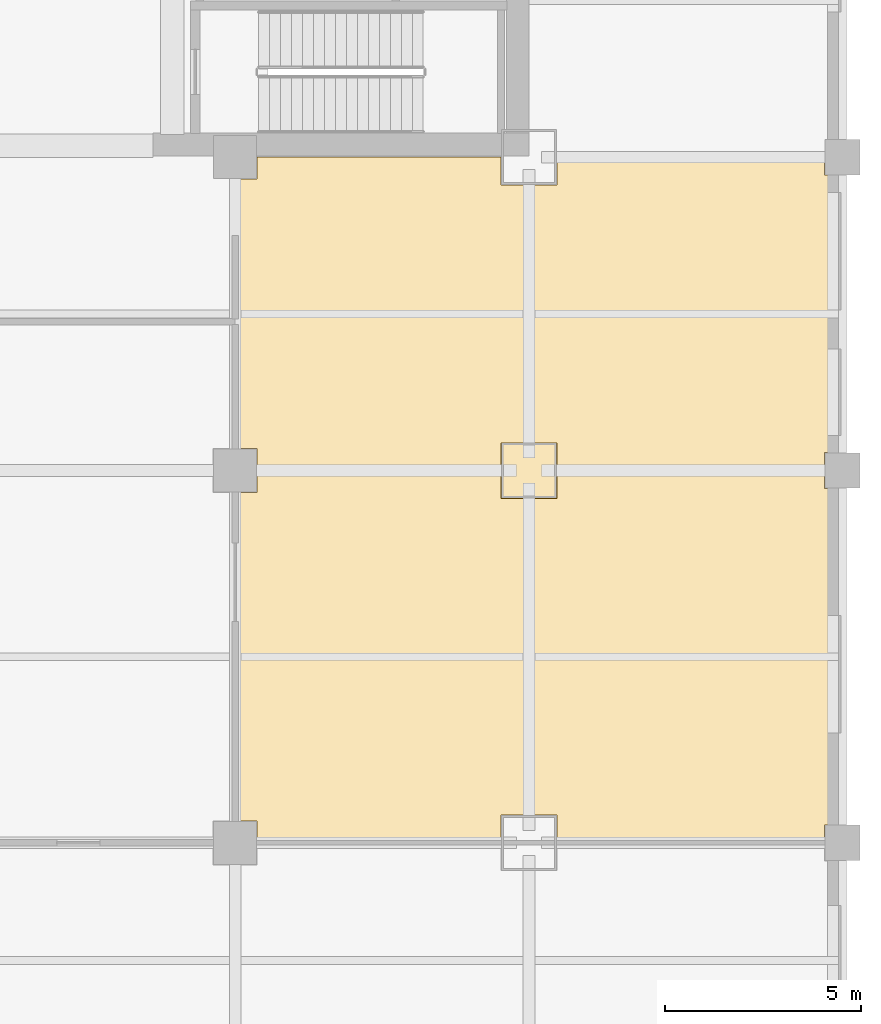
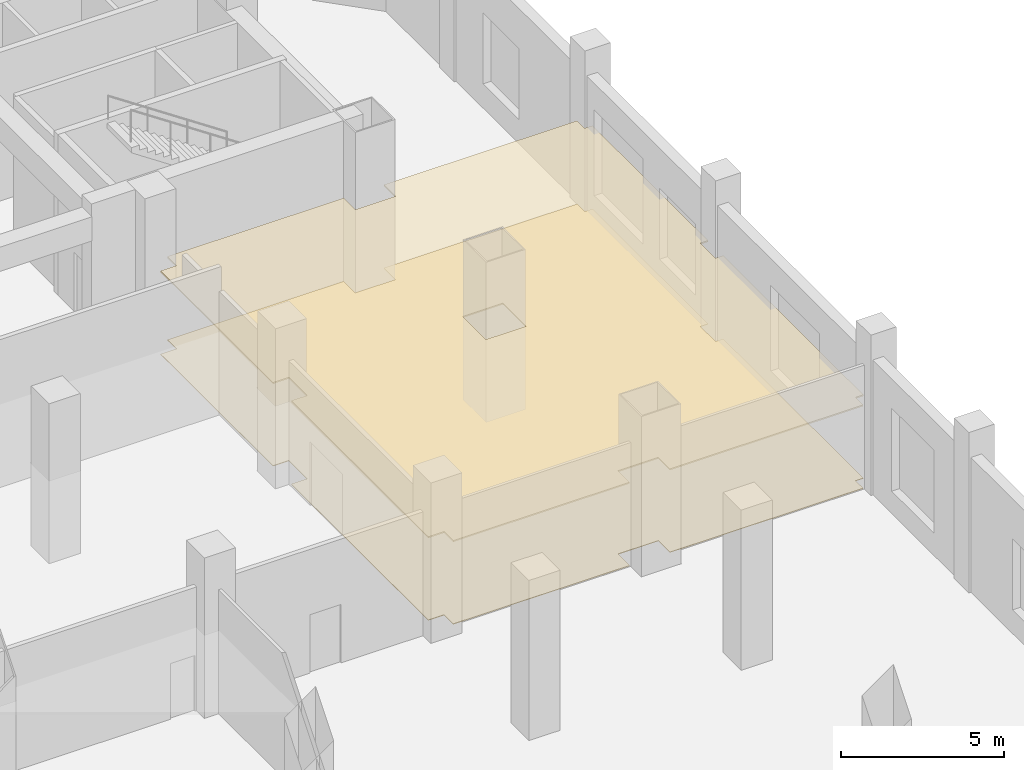
# One storey, part 11 of 11: 2 coverings.
"""IFC4 building model written with IfcOpenShell, lengths in metres."""

from ifc_helpers import new_model, si_unit, direction, frame, origin, place, context, subcontext, project, spatial, polyline, outline, extrude, material, layer, layer_set, type_object, element, save


model = new_model("IFC4")

# Units and contexts
model_context = context("Model", 3, precision=1e-05, world=origin(), true_north=direction((0.0, 1.0)))
body_context = subcontext(model_context, "Body", "Model", "MODEL_VIEW")
ifc_project = project(units=[si_unit("LENGTHUNIT", "METRE"), si_unit("AREAUNIT", "SQUARE_METRE"), si_unit("VOLUMEUNIT", "CUBIC_METRE"), si_unit("PLANEANGLEUNIT", "RADIAN"), si_unit("MASSUNIT", "GRAM", prefix="KILO")], contexts=[model_context])

# Site, building, storey
site_placement = place(None, origin())
site = spatial("IfcSite", under=ifc_project, at=site_placement, CompositionType="ELEMENT")
building_placement = place(site_placement, origin())
building = spatial("IfcBuilding", under=site, at=building_placement, Name="Qianrong Seaharbour Tower", CompositionType="ELEMENT")
storey_placement = place(building_placement, frame((0.0, 0.0, 11.39990234375)))
storey = spatial("IfcBuildingStorey", under=building, at=storey_placement, Name="L03", CompositionType="ELEMENT", Elevation=11.39990234375)

# Coverings
ifc_material_1 = material(Name="Perforated acoustic gypsum ceiling board")
ifc_layer_1 = layer(ifc_material_1, 0.050048828125)
ifc_layer_set_1 = layer_set([ifc_layer_1], Name="Perforated acoustic gypsum ceiling board")
covering_type_1 = type_object("IfcCoveringType", Name="COV-CEIL-GYPSUM-50", PredefinedType="CEILING", material=ifc_layer_set_1)
covering_1_placement = place(storey_placement, frame((0.0, 0.0, 3.080078125)))
element("IfcCovering", 1, at=covering_1_placement, inside=storey, type_object=covering_type_1, Name="L03 Harbour Symposium Gallery Acoustic Ceiling", PredefinedType="CEILING", context=body_context, shape_type="SweptSolid", body=[
    extrude(outline(polyline([(63.2900390625, 36.0), (63.2900390625, 35.2900390625), (64.7099609375, 35.2900390625), (64.7099609375, 36.0), (71.5400390625, 36.0), (71.5400390625, 35.5400390625), (71.81494140625, 35.5400390625), (71.81494140625, 28.4599609375), (71.5400390625, 28.4599609375), (71.5400390625, 27.5400390625), (71.81494140625, 27.5400390625), (71.81494140625, 18.9599609375), (71.5400390625, 18.9599609375), (71.5400390625, 18.5), (64.7099609375, 18.5), (64.7099609375, 19.2099609375), (63.2900390625, 19.2099609375), (63.2900390625, 18.5), (57.06005859375, 18.5), (57.06005859375, 19.06005859375), (56.5, 19.06005859375), (56.5, 27.43994140625), (57.06005859375, 27.43994140625), (57.06005859375, 28.56005859375), (56.5, 28.56005859375), (56.5, 35.43994140625), (57.06005859375, 35.43994140625), (57.06005859375, 36.0), (63.2900390625, 36.0)]), holes=[polyline([(63.2900390625, 27.2900390625), (64.7099609375, 27.2900390625), (64.7099609375, 28.7099609375), (63.2900390625, 28.7099609375), (63.2900390625, 27.2900390625)])]), origin(), (0.0, 0.0, 1.0), 0.050048828125),
])
ifc_material_2 = material(Name="Acoustic modular carpet tile flooring")
ifc_layer_2 = layer(ifc_material_2, 0.02001953125)
ifc_layer_set_2 = layer_set([ifc_layer_2], Name="Acoustic modular carpet tile flooring")
covering_type_2 = type_object("IfcCoveringType", Name="COV-FLOOR-CARPET-20", PredefinedType="FLOORING", material=ifc_layer_set_2)
covering_2_placement = place(storey_placement, origin())
element("IfcCovering", 2, at=covering_2_placement, inside=storey, type_object=covering_type_2, Name="L03 Harbour Symposium Gallery Finish Flooring", PredefinedType="FLOORING", context=body_context, shape_type="SweptSolid", body=[
    extrude(outline(polyline([(63.2900390625, 36.0), (63.2900390625, 35.2900390625), (64.7099609375, 35.2900390625), (64.7099609375, 36.0), (71.5400390625, 36.0), (71.5400390625, 35.5400390625), (71.81494140625, 35.5400390625), (71.81494140625, 28.4599609375), (71.5400390625, 28.4599609375), (71.5400390625, 27.5400390625), (71.81494140625, 27.5400390625), (71.81494140625, 18.9599609375), (71.5400390625, 18.9599609375), (71.5400390625, 18.5), (64.7099609375, 18.5), (64.7099609375, 19.2099609375), (63.2900390625, 19.2099609375), (63.2900390625, 18.5), (57.06005859375, 18.5), (57.06005859375, 19.06005859375), (56.5, 19.06005859375), (56.5, 27.43994140625), (57.06005859375, 27.43994140625), (57.06005859375, 28.56005859375), (56.5, 28.56005859375), (56.5, 35.43994140625), (57.06005859375, 35.43994140625), (57.06005859375, 36.0), (63.2900390625, 36.0)])), origin(), (0.0, 0.0, 1.0), 0.02001953125),
])

save(model, "model.ifc")
